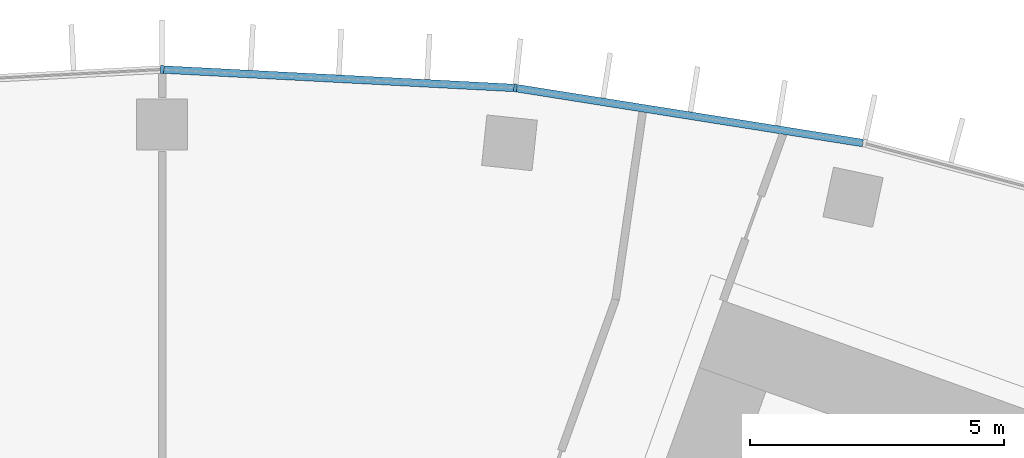
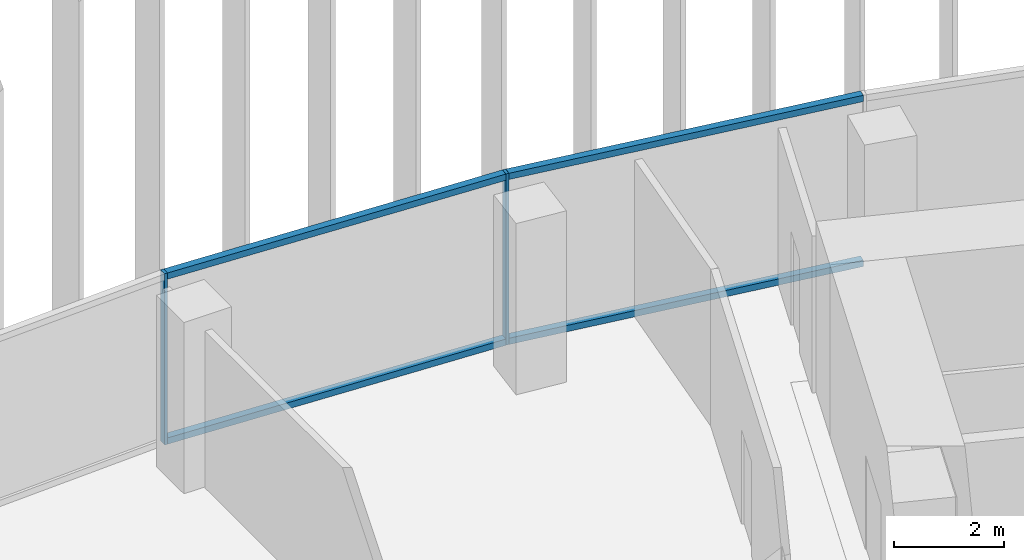
# One storey, part 8 of 22: 6 members, 1 element without a shape of its own.
"""IFC4 building model written with IfcOpenShell, lengths in metres."""

from ifc_helpers import new_model, si_unit, direction, frame, origin, origin_2d, place, context, subcontext, project, spatial, rectangle, extrude, material, layer, layer_set, material_profile, profile_set, type_object, element, aggregate, save


model = new_model("IFC4")

# Units and contexts
model_context = context("Model", 3, precision=1e-05, world=origin(), true_north=direction((0.0, 1.0)))
body_context = subcontext(model_context, "Body", "Model", "MODEL_VIEW")
ifc_project = project(units=[si_unit("LENGTHUNIT", "METRE"), si_unit("AREAUNIT", "SQUARE_METRE"), si_unit("VOLUMEUNIT", "CUBIC_METRE"), si_unit("PLANEANGLEUNIT", "RADIAN"), si_unit("MASSUNIT", "GRAM", prefix="KILO")], contexts=[model_context])

# Site, building, storey
site_placement = place(None, origin())
site = spatial("IfcSite", under=ifc_project, at=site_placement, CompositionType="ELEMENT")
building_placement = place(site_placement, origin())
building = spatial("IfcBuilding", under=site, at=building_placement, Name="Stone Belt Terrace Tower", CompositionType="ELEMENT")
storey_placement = place(building_placement, frame((0.0, 0.0, 155.39990234375)))
storey = spatial("IfcBuildingStorey", under=building, at=storey_placement, Name="L37", CompositionType="ELEMENT", Elevation=155.39990234375)

# Curtain wall, members
ifc_material = material(Name="Aluminium 6063-T6 anodised frame", Category="aluminium")
ifc_layer = layer(ifc_material, 0.14990234375)
ifc_layer_set = layer_set([ifc_layer], Name="CW-A unitised convex-face curtain wall")
curtain_wall_type = type_object("IfcCurtainWallType", Name="CW-A unitised convex-face curtain wall", PredefinedType="NOTDEFINED", material=ifc_layer_set)
curtain_wall_placement = place(storey_placement, origin())
curtain_wall = element("IfcCurtainWall", 1, at=curtain_wall_placement, inside=storey, type_object=curtain_wall_type, Name="CW-A convex face L37", PredefinedType="NOTDEFINED")
ifc_material_profile_1 = material_profile(ifc_material, rectangle(XDim=0.14990234375, YDim=0.06005859375, at=origin_2d()), Name="Aluminium 6063-T6 60x150")
ifc_profile_set_1 = profile_set([ifc_material_profile_1], Name="Aluminium 6063-T6 anodised frame")
member_type_1 = type_object("IfcMemberType", Name="CW-A mullion 60 x 150", PredefinedType="MULLION", material=ifc_profile_set_1)
member_1_placement = place(storey_placement, frame((6.958984375, 66.21044921875, 0.0), z_axis=(0.0, 0.0, 1.0), x_axis=(-0.104528463268, -0.994521895368, 0.0)))
member_1 = element("IfcMember", 2, at=member_1_placement, type_object=member_type_1, Name="CW-A mullion 8", PredefinedType="MULLION", context=body_context, shape_type="SweptSolid", body=[
    extrude(rectangle(XDim=0.14990234375, YDim=0.06005859375, at=origin_2d()), origin(), (0.0, 0.0, 1.0), 3.800048828125),
])
member_2_placement = place(storey_placement, frame((0.0, 66.5751953125, 0.0), z_axis=(0.0, 0.0, 1.0), x_axis=(0.0, -1.0, 0.0)))
member_2 = element("IfcMember", 3, at=member_2_placement, type_object=member_type_1, Name="CW-A mullion 9", PredefinedType="MULLION", context=body_context, shape_type="SweptSolid", body=[
    extrude(rectangle(XDim=0.14990234375, YDim=0.06005859375, at=origin_2d()), origin(), (0.0, 0.0, 1.0), 3.800048828125),
])
ifc_material_profile_2 = material_profile(ifc_material, rectangle(XDim=0.14990234375, YDim=0.139892578125, at=origin_2d()), Name="Aluminium 6063-T6 150x140")
ifc_profile_set_2 = profile_set([ifc_material_profile_2], Name="Aluminium 6063-T6 anodised frame")
member_type_2 = type_object("IfcMemberType", Name="CW-A transom 140 x 150", PredefinedType="USERDEFINED", material=ifc_profile_set_2)
member_3_placement = place(storey_placement, frame((13.808349609375, 65.12548828125, 0.070068359375), z_axis=(-0.987687120531, 0.156442168027, 0.0), x_axis=(-0.156442168027, -0.987687120531, 0.0)))
member_3 = element("IfcMember", 4, at=member_3_placement, type_object=member_type_2, Name="CW-A transom 7.1", ObjectType="TRANSOM", PredefinedType="USERDEFINED", context=body_context, shape_type="SweptSolid", body=[
    extrude(rectangle(XDim=0.14990234375, YDim=0.139892578125, at=origin_2d()), origin(), (0.0, 0.0, 1.0), 6.90087890625),
])
member_4_placement = place(storey_placement, frame((13.808349609375, 65.12548828125, 3.72998046875), z_axis=(-0.987687120531, 0.156442168027, 0.0), x_axis=(-0.156442168027, -0.987687120531, 0.0)))
member_4 = element("IfcMember", 5, at=member_4_placement, type_object=member_type_2, Name="CW-A transom 7.2", ObjectType="TRANSOM", PredefinedType="USERDEFINED", context=body_context, shape_type="SweptSolid", body=[
    extrude(rectangle(XDim=0.14990234375, YDim=0.139892578125, at=origin_2d()), origin(), (0.0, 0.0, 1.0), 6.90087890625),
])
member_5_placement = place(storey_placement, frame((6.925048828125, 66.212158203125, 0.070068359375), z_axis=(-0.998630019135, 0.052326712899, 0.0), x_axis=(-0.052326712899, -0.998630019135, 0.0)))
member_5 = element("IfcMember", 6, at=member_5_placement, type_object=member_type_2, Name="CW-A transom 8.1", ObjectType="TRANSOM", PredefinedType="USERDEFINED", context=body_context, shape_type="SweptSolid", body=[
    extrude(rectangle(XDim=0.14990234375, YDim=0.139892578125, at=origin_2d()), origin(), (0.0, 0.0, 1.0), 6.900634765625),
])
member_6_placement = place(storey_placement, frame((6.925048828125, 66.212158203125, 3.72998046875), z_axis=(-0.998630019135, 0.052326712899, 0.0), x_axis=(-0.052326712899, -0.998630019135, 0.0)))
member_6 = element("IfcMember", 7, at=member_6_placement, type_object=member_type_2, Name="CW-A transom 8.2", ObjectType="TRANSOM", PredefinedType="USERDEFINED", context=body_context, shape_type="SweptSolid", body=[
    extrude(rectangle(XDim=0.14990234375, YDim=0.139892578125, at=origin_2d()), origin(), (0.0, 0.0, 1.0), 6.900634765625),
])
aggregate(curtain_wall, [member_1, member_2, member_3, member_4, member_5, member_6])

save(model, "model.ifc")
